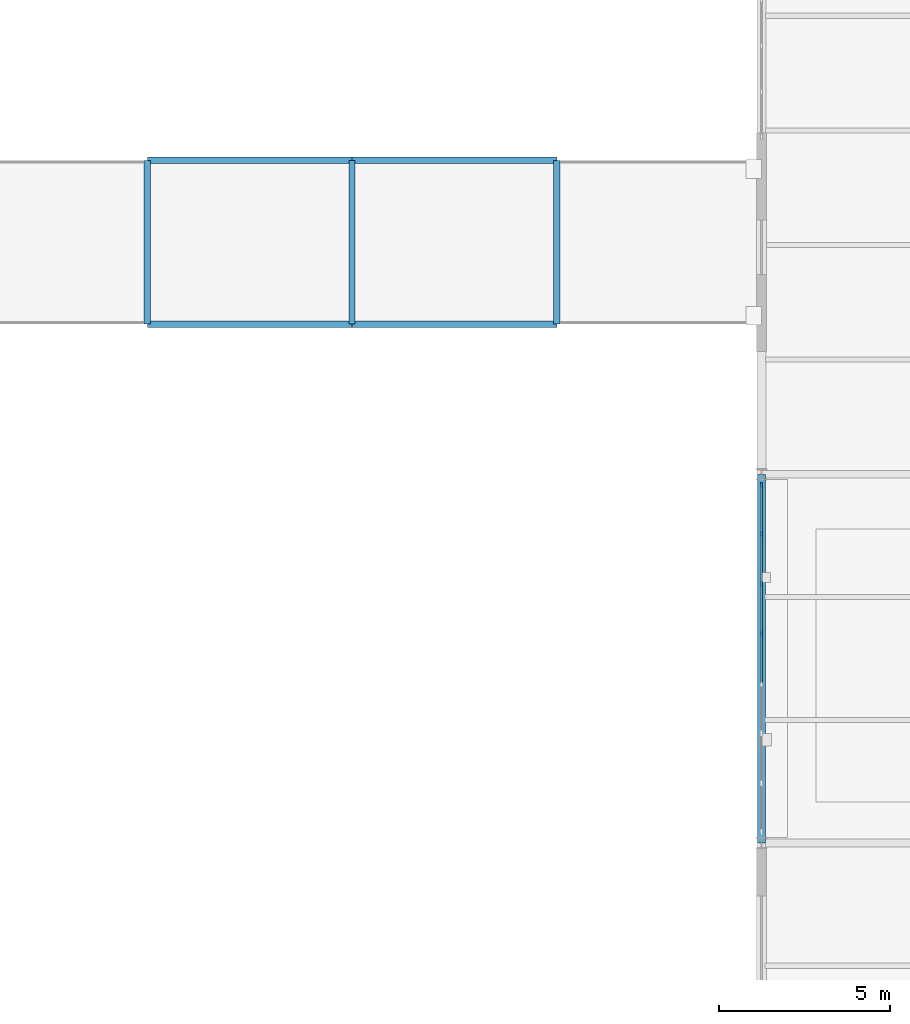
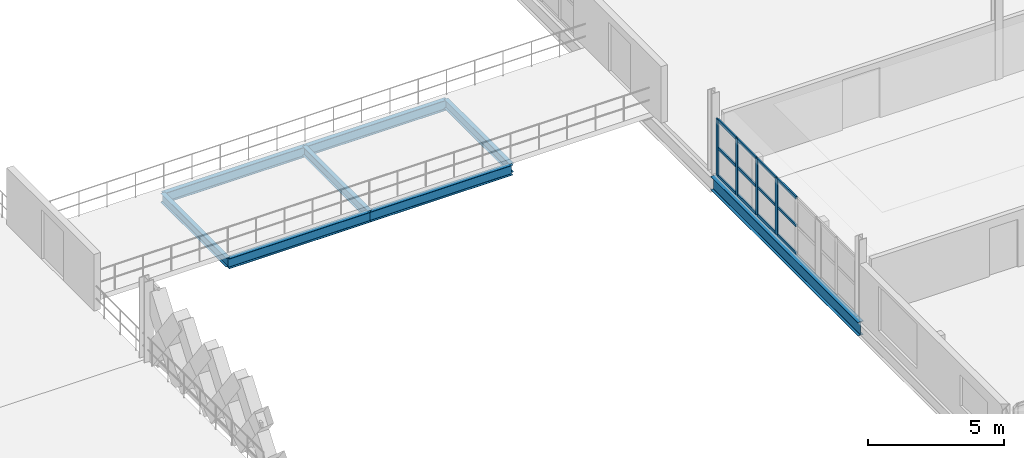
# One storey, part 30 of 101: 16 members, 8 beams, 1 element without a shape of its own.
"""IFC4 building model written with IfcOpenShell, lengths in metres."""

import ifcopenshell
import ifcopenshell.guid

model = None  # the IFC model being written
_history = None  # IfcOwnerHistory: only IFC2X3 demands one
_inside = {}  # id of a spatial element -> (the spatial element, [elements in it])
_under = {}  # id of a project, library or spatial element -> (it, [spatial elements below it])
_declared = {}  # id of a project -> (the project, [libraries it declares])
_typed = {}  # id of a type object -> (the type object, [elements of that type])
_made_of = {}  # id of a material, layer set ... -> (it, [elements and type objects made of it])


def new_model(schema):
    """Start an empty IFC model of exactly this schema.

    Asked for "IFC4X3", IfcOpenShell would pick the latest addendum, in which some entities
    have other attributes; the version numbers below select the first issue.
    IFC2X3 requires an IfcOwnerHistory on every rooted entity: one is made here for all.
    """
    global model, _history
    if schema == "IFC4X3":
        model = ifcopenshell.file(schema_version=(4, 3, 0, 0))
    else:
        model = ifcopenshell.file(schema=schema)
    _inside.clear()
    _under.clear()
    _declared.clear()
    _typed.clear()
    _made_of.clear()
    _history = None
    if model.schema == "IFC2X3":
        org = make("IfcOrganization", Name="unknown")
        user = make(
            "IfcPersonAndOrganization",
            ThePerson=make("IfcPerson", FamilyName="unknown"),
            TheOrganization=org,
        )
        app = make(
            "IfcApplication",
            ApplicationDeveloper=org,
            Version="unknown",
            ApplicationFullName="unknown",
            ApplicationIdentifier="unknown",
        )
        _history = make(
            "IfcOwnerHistory",
            OwningUser=user,
            OwningApplication=app,
            ChangeAction="ADDED",
            CreationDate=0,
        )
    return model


def make(cls, **values):
    """One entity of the class cls with the attributes given. An attribute that is None is left unset."""
    return model.create_entity(
        cls, **{name: value for name, value in values.items() if value is not None}
    )


def rooted(cls, **values):
    """An entity with a GlobalId (a new one), such as an element, a storey or a relation."""
    return make(cls, GlobalId=ifcopenshell.guid.new(), OwnerHistory=_history, **values)


def si_unit(unit_type, name, prefix=None):
    """IfcSIUnit, for example si_unit("LENGTHUNIT", "METRE", prefix="MILLI")."""
    return make("IfcSIUnit", UnitType=unit_type, Prefix=prefix, Name=name)


def assignment(units):
    """IfcUnitAssignment: the units of a project."""
    return None if units is None else make("IfcUnitAssignment", Units=units)


def point(xyz):
    """IfcCartesianPoint."""
    return None if xyz is None else make("IfcCartesianPoint", Coordinates=xyz)


def direction(xyz):
    """IfcDirection."""
    return None if xyz is None else make("IfcDirection", DirectionRatios=xyz)


def frame(location, z_axis=None, x_axis=None):
    """IfcAxis2Placement3D, a coordinate frame: its origin and axes. An axis left out is left unset."""
    return make(
        "IfcAxis2Placement3D",
        Location=point(location),
        Axis=direction(z_axis),
        RefDirection=direction(x_axis),
    )


def frame_2d(location, x_axis=None):
    """IfcAxis2Placement2D, a coordinate frame in the plane: its origin and x axis."""
    return make(
        "IfcAxis2Placement2D", Location=point(location), RefDirection=direction(x_axis)
    )


def origin():
    """The frame at (0, 0, 0) with its axes left unset."""
    return frame((0.0, 0.0, 0.0))


def origin_2d():
    """The frame at (0, 0) in the plane with its x axis left unset."""
    return frame_2d((0.0, 0.0))


def place(relative_to, where):
    """IfcLocalPlacement: puts the frame where relative to a parent placement (None: the world)."""
    return make(
        "IfcLocalPlacement", PlacementRelTo=relative_to, RelativePlacement=where
    )


def context(
    kind, dimensions, precision=None, world=None, true_north=None, identifier=None
):
    """IfcGeometricRepresentationContext, for example the 3D "Model" context."""
    return make(
        "IfcGeometricRepresentationContext",
        ContextIdentifier=identifier,
        ContextType=kind,
        CoordinateSpaceDimension=dimensions,
        Precision=precision,
        WorldCoordinateSystem=world,
        TrueNorth=true_north,
    )


def subcontext(parent, identifier, kind, view, scale=None):
    """IfcGeometricRepresentationSubContext, for example "Body" below "Model"."""
    return make(
        "IfcGeometricRepresentationSubContext",
        ContextIdentifier=identifier,
        ContextType=kind,
        ParentContext=parent,
        TargetScale=scale,
        TargetView=view,
    )


def project(units=None, contexts=None):
    """IfcProject with its units and contexts."""
    return rooted(
        "IfcProject",
        Name="project",
        RepresentationContexts=contexts,
        UnitsInContext=assignment(units),
    )


def spatial(cls, under=None, at=None, **own):
    """A site, building, storey or space (cls), placed at a placement, below another one or the project."""
    s = rooted(cls, ObjectPlacement=at, **own)
    if under is not None:
        _under.setdefault(under.id(), (under, []))[1].append(s)
    return s


def profile(cls, at=None, kind="AREA", **sizes):
    """A parametric profile (cls). Its sizes go by their IFC names, for example OverallWidth=200.0."""
    return make(cls, ProfileType=kind, Position=at, **sizes)


def rectangle(**sizes):
    """IfcRectangleProfileDef."""
    return profile("IfcRectangleProfileDef", **sizes)


def i_section(**sizes):
    """IfcIShapeProfileDef."""
    return profile("IfcIShapeProfileDef", **sizes)


def extrude(swept, where, along, depth):
    """IfcExtrudedAreaSolid: the profile swept, set in the frame where, extruded along a direction by depth."""
    return make(
        "IfcExtrudedAreaSolid",
        SweptArea=swept,
        Position=where,
        ExtrudedDirection=direction(along),
        Depth=depth,
    )


def shape(context_of_items, identifier, shape_type, items):
    """IfcShapeRepresentation: the items that make up one representation, for example the "Body"."""
    return make(
        "IfcShapeRepresentation",
        ContextOfItems=context_of_items,
        RepresentationIdentifier=identifier,
        RepresentationType=shape_type,
        Items=items,
    )


def material(Name=None, Category=None):
    """IfcMaterial."""
    return make("IfcMaterial", Name=Name, Category=Category)


def layer(
    of_material, thickness, ventilated=None, Name=None, Category=None, Priority=None
):
    """IfcMaterialLayer: one layer of a wall or slab, of a material (None: an air gap)."""
    return make(
        "IfcMaterialLayer",
        Material=of_material,
        LayerThickness=thickness,
        IsVentilated=ventilated,
        Name=Name,
        Category=Category,
        Priority=Priority,
    )


def layer_set(layers, Name=None):
    """IfcMaterialLayerSet."""
    return make("IfcMaterialLayerSet", MaterialLayers=layers, LayerSetName=Name)


def material_profile(
    of_material, cross_section, Name=None, Category=None, Priority=None
):
    """IfcMaterialProfile: a cross section and its material."""
    return make(
        "IfcMaterialProfile",
        Name=Name,
        Material=of_material,
        Profile=cross_section,
        Priority=Priority,
        Category=Category,
    )


def profile_set(profiles, Name=None, composite=None):
    """IfcMaterialProfileSet."""
    return make(
        "IfcMaterialProfileSet",
        Name=Name,
        MaterialProfiles=profiles,
        CompositeProfile=composite,
    )


def made_of(thing, what):
    """Note that an element or type object is made of a material, layer set ...; save() writes the relation."""
    if what is not None:
        _made_of.setdefault(what.id(), (what, []))[1].append(thing)
    return thing


def type_object(cls, material=None, **own):
    """A type object (cls), such as IfcWallType, which elements share."""
    return made_of(rooted(cls, **own), material)


def element(
    cls,
    number,
    at=None,
    inside=None,
    cuts=None,
    type_object=None,
    material=None,
    context=None,
    identifier="Body",
    shape_type=None,
    held_by="IfcProductDefinitionShape",
    body=None,
    shapes=None,
    **own,
):
    """One element of the class cls, such as IfcWall. Its Tag is "e" and its number.

    at: its placement. inside: the storey or other place that contains it. cuts: it is an
    opening in that element (IfcRelVoidsElement). A single representation is given by context,
    identifier, shape_type and body (its items); several are given by shapes. held_by: the class
    of the entity that holds the representations. save() writes the other relations.
    """
    e = rooted(cls, Tag="e%d" % number, ObjectPlacement=at, **own)
    if body is not None:
        shapes = [shape(context, identifier, shape_type, body)]
    if shapes is not None:
        e.Representation = make(held_by, Representations=shapes)
    if inside is not None:
        _inside.setdefault(inside.id(), (inside, []))[1].append(e)
    if cuts is not None:
        rooted(
            "IfcRelVoidsElement", RelatingBuildingElement=cuts, RelatedOpeningElement=e
        )
    if type_object is not None:
        _typed.setdefault(type_object.id(), (type_object, []))[1].append(e)
    return made_of(e, material)


def aggregate(whole, parts):
    """IfcRelAggregates: a whole, such as a stair, and the parts it consists of."""
    return rooted("IfcRelAggregates", RelatingObject=whole, RelatedObjects=parts)


def save(model, path):
    """Write the relations noted so far, then the file.

    IfcRelAggregates (storeys below a building ...), IfcRelContainedInSpatialStructure (elements
    in a storey), IfcRelDefinesByType, IfcRelAssociatesMaterial and IfcRelDeclares: one each for
    every whole, place, type object, material and project.
    """
    for whole, parts in _under.values():
        aggregate(whole, parts)
    for where, things in _inside.values():
        rooted(
            "IfcRelContainedInSpatialStructure",
            RelatedElements=things,
            RelatingStructure=where,
        )
    for kind, things in _typed.values():
        rooted("IfcRelDefinesByType", RelatedObjects=things, RelatingType=kind)
    for what, things in _made_of.values():
        rooted("IfcRelAssociatesMaterial", RelatedObjects=things, RelatingMaterial=what)
    for by, libraries in _declared.values():
        rooted("IfcRelDeclares", RelatingContext=by, RelatedDefinitions=libraries)
    model.write(path)


model = new_model("IFC4")

# Units and contexts
model_context = context("Model", 3, precision=1e-05, world=origin(), true_north=direction((0.0, 1.0)))
body_context = subcontext(model_context, "Body", "Model", "MODEL_VIEW")
ifc_project = project(units=[si_unit("LENGTHUNIT", "METRE"), si_unit("AREAUNIT", "SQUARE_METRE"), si_unit("VOLUMEUNIT", "CUBIC_METRE"), si_unit("PLANEANGLEUNIT", "RADIAN"), si_unit("MASSUNIT", "GRAM", prefix="KILO"), si_unit("THERMODYNAMICTEMPERATUREUNIT", "KELVIN"), si_unit("POWERUNIT", "WATT")], contexts=[model_context])

# Site, building, storey
site_placement = place(None, origin())
site = spatial("IfcSite", under=ifc_project, at=site_placement, CompositionType="ELEMENT")
building_placement = place(site_placement, origin())
building = spatial("IfcBuilding", under=site, at=building_placement, Name="Tembeka Court Mobility Hub", CompositionType="ELEMENT")
storey_placement = place(building_placement, frame((0.0, 0.0, 5.39990234375)))
storey = spatial("IfcBuildingStorey", under=building, at=storey_placement, Name="L01", CompositionType="ELEMENT", Elevation=5.39990234375)

# Beams
ifc_material_1 = material(Name="Steel S355", Category="steel")
ifc_material_profile_1 = material_profile(ifc_material_1, i_section(OverallWidth=0.18994140625, OverallDepth=0.45703125, WebThickness=0.009033203125, FlangeThickness=0.014404296875, FilletRadius=0.01025390625, at=origin_2d()), Name="UKB 457x191x74")
ifc_profile_set_1 = profile_set([ifc_material_profile_1], Name="Steel S355")
beam_type_1 = type_object("IfcBeamType", Name="BM-B01", PredefinedType="BEAM", material=ifc_profile_set_1)
for number, where, z_axis, x_axis, name in (
    (1, (98.39990234375, 26.0, -0.45849609375), (1.0, 0.0, 0.0), (0.0, 1.0, 0.0), "Beam B01 (BM-L01-X0645)"),
    (2, (104.39990234375, 26.0, -0.45849609375), (1.0, 0.0, 0.0), (0.0, 1.0, 0.0), "Beam B01 (BM-L01-X0646)"),
    (3, (98.39990234375, 30.800048828125, -0.45849609375), (1.0, 0.0, 0.0), (0.0, 1.0, 0.0), "Beam B01 (BM-L01-X0647)"),
    (4, (104.39990234375, 30.800048828125, -0.45849609375), (1.0, 0.0, 0.0), (0.0, 1.0, 0.0), "Beam B01 (BM-L01-X0648)"),
):
    element("IfcBeam", number, at=place(storey_placement, frame(where, z_axis=z_axis, x_axis=x_axis)), inside=storey, type_object=beam_type_1, Name=name, PredefinedType="BEAM", context=body_context, shape_type="SweptSolid", body=[
        extrude(i_section(OverallWidth=0.18994140625, OverallDepth=0.45703125, WebThickness=0.009033203125, FlangeThickness=0.014404296875, FilletRadius=0.01025390625, at=origin_2d()), origin(), (0.0, 0.0, 1.0), 6.0),
    ])
ifc_material_profile_2 = material_profile(ifc_material_1, i_section(OverallWidth=0.177978515625, OverallDepth=0.406005859375, WebThickness=0.0078125, FlangeThickness=0.0126953125, FilletRadius=0.01025390625, at=origin_2d()), Name="UKB 406x178x60")
ifc_profile_set_2 = profile_set([ifc_material_profile_2], Name="Steel S355")
beam_type_2 = type_object("IfcBeamType", Name="BM-B02", PredefinedType="BEAM", material=ifc_profile_set_2)
for number, where, z_axis, x_axis, name in (
    (5, (98.39990234375, 26.0, -0.432861328125), (0.0, 1.0, 0.0), (-1.0, 0.0, 0.0), "Beam B02 (BM-L01-Y0866)"),
    (6, (104.39990234375, 26.0, -0.432861328125), (0.0, 1.0, 0.0), (-1.0, 0.0, 0.0), "Beam B02 (BM-L01-Y0868)"),
    (7, (110.39990234375, 26.0, -0.432861328125), (0.0, 1.0, 0.0), (-1.0, 0.0, 0.0), "Beam B02 (BM-L01-Y0870)"),
):
    element("IfcBeam", number, at=place(storey_placement, frame(where, z_axis=z_axis, x_axis=x_axis)), inside=storey, type_object=beam_type_2, Name=name, PredefinedType="BEAM", context=body_context, shape_type="SweptSolid", body=[
        extrude(i_section(OverallWidth=0.177978515625, OverallDepth=0.406005859375, WebThickness=0.0078125, FlangeThickness=0.0126953125, FilletRadius=0.01025390625, at=origin_2d()), origin(), (0.0, 0.0, 1.0), 4.800048828125),
    ])
ifc_material_profile_3 = material_profile(ifc_material_1, i_section(OverallWidth=0.22900390625, OverallDepth=0.612060546875, WebThickness=0.011962890625, FlangeThickness=0.01953125, FilletRadius=0.0126953125, at=origin_2d()), Name="UKB 610x229x125")
ifc_profile_set_3 = profile_set([ifc_material_profile_3], Name="Steel S355")
beam_type_3 = type_object("IfcBeamType", Name="BM-G02", PredefinedType="USERDEFINED", material=ifc_profile_set_3)
beam_placement = place(storey_placement, frame((116.39990234375, 10.800048828125, -0.495849609375), z_axis=(0.0, 1.0, 0.0), x_axis=(-1.0, 0.0, 0.0)))
element("IfcBeam", 8, at=beam_placement, inside=storey, type_object=beam_type_3, Name="Beam G02 (BM-L01-Y0873)", ObjectType="GIRDER", PredefinedType="USERDEFINED", context=body_context, shape_type="SweptSolid", body=[
    extrude(i_section(OverallWidth=0.22900390625, OverallDepth=0.612060546875, WebThickness=0.011962890625, FlangeThickness=0.01953125, FilletRadius=0.0126953125, at=origin_2d()), origin(), (0.0, 0.0, 1.0), 10.800048828125),
])

# Curtain wall, members
ifc_material_2 = material(Name="Anodised aluminium 6063-T6", Category="aluminium")
ifc_layer = layer(ifc_material_2, 0.159912109375)
ifc_layer_set = layer_set([ifc_layer], Name="Anodised aluminium 6063-T6")
curtain_wall_type = type_object("IfcCurtainWallType", Name="CW-SYS42", PredefinedType="USERDEFINED", material=ifc_layer_set)
curtain_wall_placement = place(storey_placement, origin())
curtain_wall = element("IfcCurtainWall", 9, at=curtain_wall_placement, inside=storey, type_object=curtain_wall_type, Name="Unitised curtain wall CW42 (CW-L01-117)", ObjectType="UNITISED GLAZING", PredefinedType="USERDEFINED")
ifc_material_profile_4 = material_profile(ifc_material_2, rectangle(XDim=0.06494140625, YDim=0.159912109375, at=origin_2d()), Name="ALU-MUL 65x160")
ifc_profile_set_4 = profile_set([ifc_material_profile_4], Name="Anodised aluminium 6063-T6")
member_type_1 = type_object("IfcMemberType", Name="CW-MUL01", PredefinedType="MULLION", material=ifc_profile_set_4)
member_1_placement = place(storey_placement, frame((116.39990234375, 16.931396484375, 0.0), z_axis=(0.0, 0.0, 1.0), x_axis=(-1.0, 0.0, 0.0)))
member_1 = element("IfcMember", 10, at=member_1_placement, type_object=member_type_1, Name="CW42 mullion 5", PredefinedType="MULLION", context=body_context, shape_type="SweptSolid", body=[
    extrude(rectangle(XDim=0.06494140625, YDim=0.159912109375, at=origin_2d()), origin(), (0.0, 0.0, 1.0), 2.53515625),
])
member_2_placement = place(storey_placement, frame((116.39990234375, 18.394287109375, 0.0), z_axis=(0.0, 0.0, 1.0), x_axis=(-1.0, 0.0, 0.0)))
member_2 = element("IfcMember", 11, at=member_2_placement, type_object=member_type_1, Name="CW42 mullion 6", PredefinedType="MULLION", context=body_context, shape_type="SweptSolid", body=[
    extrude(rectangle(XDim=0.06494140625, YDim=0.159912109375, at=origin_2d()), origin(), (0.0, 0.0, 1.0), 2.53515625),
])
member_3_placement = place(storey_placement, frame((116.39990234375, 19.857177734375, 0.0), z_axis=(0.0, 0.0, 1.0), x_axis=(-1.0, 0.0, 0.0)))
member_3 = element("IfcMember", 12, at=member_3_placement, type_object=member_type_1, Name="CW42 mullion 7", PredefinedType="MULLION", context=body_context, shape_type="SweptSolid", body=[
    extrude(rectangle(XDim=0.06494140625, YDim=0.159912109375, at=origin_2d()), origin(), (0.0, 0.0, 1.0), 2.53515625),
])
member_4_placement = place(storey_placement, frame((116.39990234375, 21.28759765625, 0.0), z_axis=(0.0, 0.0, 1.0), x_axis=(-1.0, 0.0, 0.0)))
member_4 = element("IfcMember", 13, at=member_4_placement, type_object=member_type_1, Name="CW42 mullion 8", PredefinedType="MULLION", context=body_context, shape_type="SweptSolid", body=[
    extrude(rectangle(XDim=0.06494140625, YDim=0.159912109375, at=origin_2d()), origin(), (0.0, 0.0, 1.0), 2.53515625),
])
ifc_material_profile_5 = material_profile(ifc_material_2, rectangle(XDim=0.06494140625, YDim=0.1201171875, at=origin_2d()), Name="ALU-TRN 65x120")
ifc_profile_set_5 = profile_set([ifc_material_profile_5], Name="Anodised aluminium 6063-T6")
member_type_2 = type_object("IfcMemberType", Name="CW-TRN01", PredefinedType="USERDEFINED", material=ifc_profile_set_5)
member_5_placement = place(storey_placement, frame((116.39990234375, 15.5009765625, 0.03271484375), z_axis=(0.0, 1.0, 0.0), x_axis=(-1.0, 0.0, 0.0)))
member_5 = element("IfcMember", 14, at=member_5_placement, type_object=member_type_2, Name="CW42 transom 4.1", ObjectType="TRANSOM", PredefinedType="USERDEFINED", context=body_context, shape_type="SweptSolid", body=[
    extrude(rectangle(XDim=0.06494140625, YDim=0.1201171875, at=origin_2d()), origin(), (0.0, 0.0, 1.0), 1.39794921875),
])
member_6_placement = place(storey_placement, frame((116.39990234375, 15.5009765625, 1.267578125), z_axis=(0.0, 1.0, 0.0), x_axis=(-1.0, 0.0, 0.0)))
member_6 = element("IfcMember", 15, at=member_6_placement, type_object=member_type_2, Name="CW42 transom 4.2", ObjectType="TRANSOM", PredefinedType="USERDEFINED", context=body_context, shape_type="SweptSolid", body=[
    extrude(rectangle(XDim=0.06494140625, YDim=0.1201171875, at=origin_2d()), origin(), (0.0, 0.0, 1.0), 1.39794921875),
])
member_7_placement = place(storey_placement, frame((116.39990234375, 15.5009765625, 2.502685546875), z_axis=(0.0, 1.0, 0.0), x_axis=(-1.0, 0.0, 0.0)))
member_7 = element("IfcMember", 16, at=member_7_placement, type_object=member_type_2, Name="CW42 transom 4.3", ObjectType="TRANSOM", PredefinedType="USERDEFINED", context=body_context, shape_type="SweptSolid", body=[
    extrude(rectangle(XDim=0.06494140625, YDim=0.1201171875, at=origin_2d()), origin(), (0.0, 0.0, 1.0), 1.39794921875),
])
member_8_placement = place(storey_placement, frame((116.39990234375, 16.9638671875, 0.03271484375), z_axis=(0.0, 1.0, 0.0), x_axis=(-1.0, 0.0, 0.0)))
member_8 = element("IfcMember", 17, at=member_8_placement, type_object=member_type_2, Name="CW42 transom 5.1", ObjectType="TRANSOM", PredefinedType="USERDEFINED", context=body_context, shape_type="SweptSolid", body=[
    extrude(rectangle(XDim=0.06494140625, YDim=0.1201171875, at=origin_2d()), origin(), (0.0, 0.0, 1.0), 1.39794921875),
])
member_9_placement = place(storey_placement, frame((116.39990234375, 16.9638671875, 1.267578125), z_axis=(0.0, 1.0, 0.0), x_axis=(-1.0, 0.0, 0.0)))
member_9 = element("IfcMember", 18, at=member_9_placement, type_object=member_type_2, Name="CW42 transom 5.2", ObjectType="TRANSOM", PredefinedType="USERDEFINED", context=body_context, shape_type="SweptSolid", body=[
    extrude(rectangle(XDim=0.06494140625, YDim=0.1201171875, at=origin_2d()), origin(), (0.0, 0.0, 1.0), 1.39794921875),
])
member_10_placement = place(storey_placement, frame((116.39990234375, 16.9638671875, 2.502685546875), z_axis=(0.0, 1.0, 0.0), x_axis=(-1.0, 0.0, 0.0)))
member_10 = element("IfcMember", 19, at=member_10_placement, type_object=member_type_2, Name="CW42 transom 5.3", ObjectType="TRANSOM", PredefinedType="USERDEFINED", context=body_context, shape_type="SweptSolid", body=[
    extrude(rectangle(XDim=0.06494140625, YDim=0.1201171875, at=origin_2d()), origin(), (0.0, 0.0, 1.0), 1.39794921875),
])
member_11_placement = place(storey_placement, frame((116.39990234375, 18.4267578125, 0.03271484375), z_axis=(0.0, 1.0, 0.0), x_axis=(-1.0, 0.0, 0.0)))
member_11 = element("IfcMember", 20, at=member_11_placement, type_object=member_type_2, Name="CW42 transom 6.1", ObjectType="TRANSOM", PredefinedType="USERDEFINED", context=body_context, shape_type="SweptSolid", body=[
    extrude(rectangle(XDim=0.06494140625, YDim=0.1201171875, at=origin_2d()), origin(), (0.0, 0.0, 1.0), 1.39794921875),
])
member_12_placement = place(storey_placement, frame((116.39990234375, 18.4267578125, 1.267578125), z_axis=(0.0, 1.0, 0.0), x_axis=(-1.0, 0.0, 0.0)))
member_12 = element("IfcMember", 21, at=member_12_placement, type_object=member_type_2, Name="CW42 transom 6.2", ObjectType="TRANSOM", PredefinedType="USERDEFINED", context=body_context, shape_type="SweptSolid", body=[
    extrude(rectangle(XDim=0.06494140625, YDim=0.1201171875, at=origin_2d()), origin(), (0.0, 0.0, 1.0), 1.39794921875),
])
member_13_placement = place(storey_placement, frame((116.39990234375, 18.4267578125, 2.502685546875), z_axis=(0.0, 1.0, 0.0), x_axis=(-1.0, 0.0, 0.0)))
member_13 = element("IfcMember", 22, at=member_13_placement, type_object=member_type_2, Name="CW42 transom 6.3", ObjectType="TRANSOM", PredefinedType="USERDEFINED", context=body_context, shape_type="SweptSolid", body=[
    extrude(rectangle(XDim=0.06494140625, YDim=0.1201171875, at=origin_2d()), origin(), (0.0, 0.0, 1.0), 1.39794921875),
])
member_14_placement = place(storey_placement, frame((116.39990234375, 19.8896484375, 0.03271484375), z_axis=(0.0, 1.0, 0.0), x_axis=(-1.0, 0.0, 0.0)))
member_14 = element("IfcMember", 23, at=member_14_placement, type_object=member_type_2, Name="CW42 transom 7.1", ObjectType="TRANSOM", PredefinedType="USERDEFINED", context=body_context, shape_type="SweptSolid", body=[
    extrude(rectangle(XDim=0.06494140625, YDim=0.1201171875, at=origin_2d()), origin(), (0.0, 0.0, 1.0), 1.365234375),
])
member_15_placement = place(storey_placement, frame((116.39990234375, 19.8896484375, 1.267578125), z_axis=(0.0, 1.0, 0.0), x_axis=(-1.0, 0.0, 0.0)))
member_15 = element("IfcMember", 24, at=member_15_placement, type_object=member_type_2, Name="CW42 transom 7.2", ObjectType="TRANSOM", PredefinedType="USERDEFINED", context=body_context, shape_type="SweptSolid", body=[
    extrude(rectangle(XDim=0.06494140625, YDim=0.1201171875, at=origin_2d()), origin(), (0.0, 0.0, 1.0), 1.365234375),
])
member_16_placement = place(storey_placement, frame((116.39990234375, 19.8896484375, 2.502685546875), z_axis=(0.0, 1.0, 0.0), x_axis=(-1.0, 0.0, 0.0)))
member_16 = element("IfcMember", 25, at=member_16_placement, type_object=member_type_2, Name="CW42 transom 7.3", ObjectType="TRANSOM", PredefinedType="USERDEFINED", context=body_context, shape_type="SweptSolid", body=[
    extrude(rectangle(XDim=0.06494140625, YDim=0.1201171875, at=origin_2d()), origin(), (0.0, 0.0, 1.0), 1.365234375),
])
aggregate(curtain_wall, [member_1, member_2, member_3, member_4, member_5, member_6, member_7, member_8, member_9, member_10, member_11, member_12, member_13, member_14, member_15, member_16])

save(model, "model.ifc")
